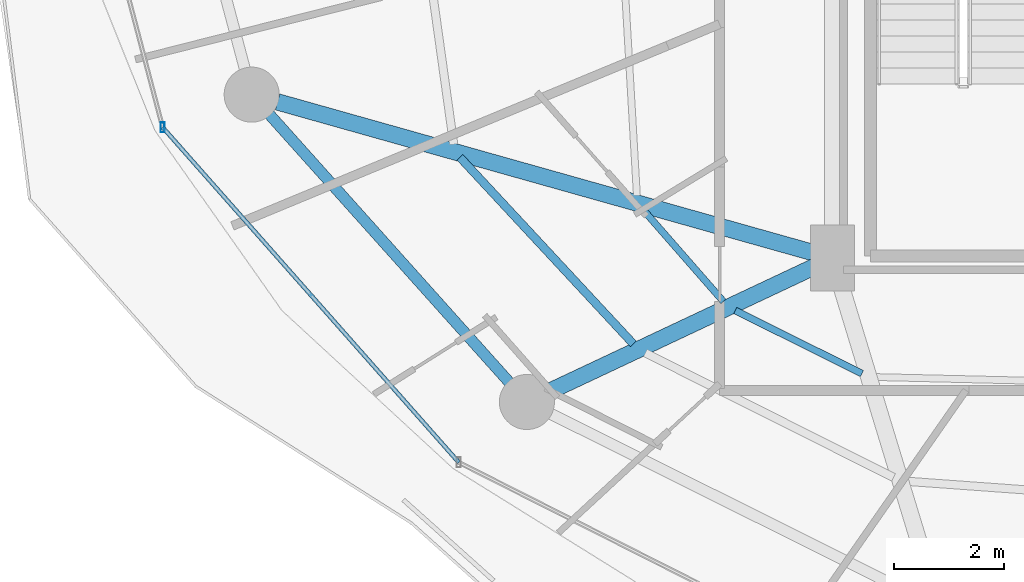
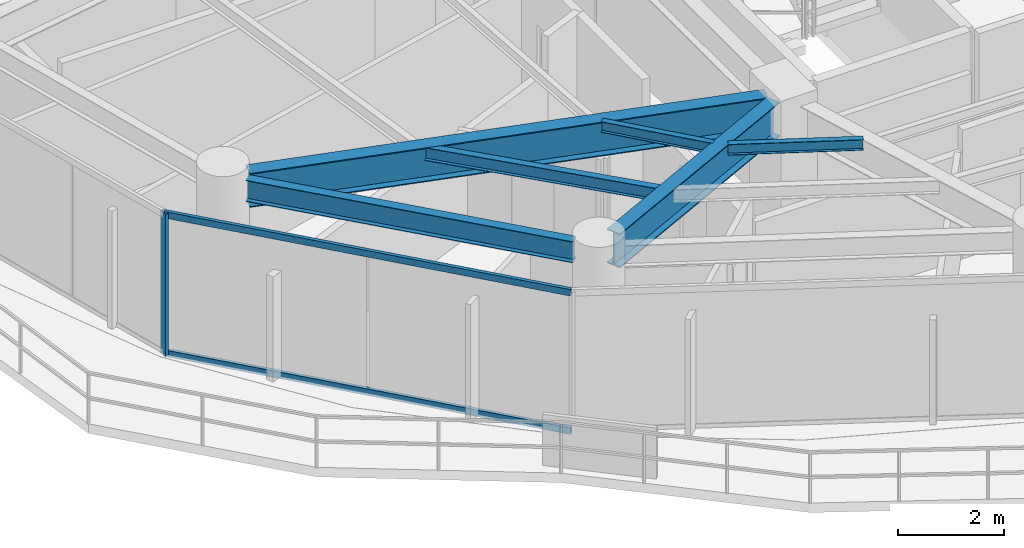
# One storey, part 3 of 28: 6 beams, 3 members, 1 element without a shape of its own.
"""IFC4 building model written with IfcOpenShell, lengths in metres."""

from ifc_helpers import new_model, si_unit, direction, frame, origin, origin_2d, place, context, subcontext, project, spatial, hollow_rectangle, i_section, extrude, material, material_profile, profile_set, type_object, element, aggregate, save


model = new_model("IFC4")

# Units and contexts
model_context = context("Model", 3, precision=1e-05, world=origin(), true_north=direction((0.0, 1.0)))
body_context = subcontext(model_context, "Body", "Model", "MODEL_VIEW")
ifc_project = project(units=[si_unit("LENGTHUNIT", "METRE"), si_unit("AREAUNIT", "SQUARE_METRE"), si_unit("VOLUMEUNIT", "CUBIC_METRE"), si_unit("PLANEANGLEUNIT", "RADIAN"), si_unit("MASSUNIT", "GRAM", prefix="KILO")], contexts=[model_context])

# Site, building, storey
site_placement = place(None, origin())
site = spatial("IfcSite", under=ifc_project, at=site_placement, CompositionType="ELEMENT")
building_placement = place(site_placement, origin())
building = spatial("IfcBuilding", under=site, at=building_placement, Name="Vorneva Point Tower", CompositionType="ELEMENT")
storey_placement = place(building_placement, frame((0.0, 0.0, 146.60009765625)))
storey = spatial("IfcBuildingStorey", under=building, at=storey_placement, Name="L39", CompositionType="ELEMENT", Elevation=146.60009765625)

# Beams
ifc_material_1 = material(Name="Steel S355", Category="steel")
ifc_material_profile_1 = material_profile(ifc_material_1, i_section(OverallWidth=0.300048828125, OverallDepth=0.7880859375, WebThickness=0.014404296875, FlangeThickness=0.02197265625, at=origin_2d()), Name="80Sh1")
ifc_profile_set_1 = profile_set([ifc_material_profile_1], Name="Steel S355")
beam_type_1 = type_object("IfcBeamType", Name="BM-GRD-80Sh1", PredefinedType="USERDEFINED", material=ifc_profile_set_1)
beam_1_placement = place(storey_placement, frame((17.17431640625, 19.28564453125, 2.845947265625), z_axis=(0.96260085362, -0.270923599213, 0.0), x_axis=(0.270923599213, 0.96260085362, 0.0)))
element("IfcBeam", 1, at=beam_1_placement, inside=storey, type_object=beam_type_1, Name="L39 Radial Primary Girder 10", ObjectType="GIRDER", PredefinedType="USERDEFINED", context=body_context, shape_type="SweptSolid", body=[
    extrude(i_section(OverallWidth=0.300048828125, OverallDepth=0.7880859375, WebThickness=0.014404296875, FlangeThickness=0.02197265625, at=origin_2d()), origin(), (0.0, 0.0, 1.0), 10.126953125),
])
beam_2_placement = place(storey_placement, frame((22.142578125, 14.045654296875, 2.845947265625), z_axis=(0.904761331435, 0.425918927896, 0.0), x_axis=(-0.425918927896, 0.904761331435, 0.0)))
element("IfcBeam", 2, at=beam_2_placement, inside=storey, type_object=beam_type_1, Name="L39 Radial Primary Girder 11", ObjectType="GIRDER", PredefinedType="USERDEFINED", context=body_context, shape_type="SweptSolid", body=[
    extrude(i_section(OverallWidth=0.300048828125, OverallDepth=0.7880859375, WebThickness=0.014404296875, FlangeThickness=0.02197265625, at=origin_2d()), origin(), (0.0, 0.0, 1.0), 5.304931640625),
])
ifc_material_profile_2 = material_profile(ifc_material_1, i_section(OverallWidth=0.1240234375, OverallDepth=0.248046875, WebThickness=0.0048828125, FlangeThickness=0.008056640625, at=origin_2d()), Name="25B1")
ifc_profile_set_2 = profile_set([ifc_material_profile_2], Name="Steel S355")
beam_type_2 = type_object("IfcBeamType", Name="BM-JST-25B1", PredefinedType="JOIST", material=ifc_profile_set_2)
beam_3_placement = place(storey_placement, frame((23.796630859375, 17.343505859375, 3.115966796875), z_axis=(0.658705826659, -0.752400580758, 0.0), x_axis=(0.752400580758, 0.658705826659, 0.0)))
element("IfcBeam", 3, at=beam_3_placement, inside=storey, type_object=beam_type_2, Name="L39 Secondary Floor Beam 2.10", PredefinedType="JOIST", context=body_context, shape_type="SweptSolid", body=[
    extrude(i_section(OverallWidth=0.1240234375, OverallDepth=0.248046875, WebThickness=0.0048828125, FlangeThickness=0.008056640625, at=origin_2d()), origin(), (0.0, 0.0, 1.0), 2.233154296875),
])
beam_4_placement = place(storey_placement, frame((25.482177734375, 15.498291015625, 3.115966796875), z_axis=(0.895489131745, -0.445083379746, 0.0), x_axis=(0.445083379746, 0.895489131745, 0.0)))
element("IfcBeam", 4, at=beam_4_placement, inside=storey, type_object=beam_type_2, Name="L39 Secondary Floor Beam 2.11", PredefinedType="JOIST", context=body_context, shape_type="SweptSolid", body=[
    extrude(i_section(OverallWidth=0.1240234375, OverallDepth=0.248046875, WebThickness=0.0048828125, FlangeThickness=0.008056640625, at=origin_2d()), origin(), (0.0, 0.0, 1.0), 2.56884765625),
])
ifc_material_profile_3 = material_profile(ifc_material_1, i_section(OverallWidth=0.14892578125, OverallDepth=0.298095703125, WebThickness=0.005615234375, FlangeThickness=0.008056640625, at=origin_2d()), Name="30B1")
ifc_profile_set_3 = profile_set([ifc_material_profile_3], Name="Steel S355")
beam_type_3 = type_object("IfcBeamType", Name="BM-JST-30B1", PredefinedType="JOIST", material=ifc_profile_set_3)
beam_5_placement = place(storey_placement, frame((20.4853515625, 18.279296875, 3.0908203125), z_axis=(0.680732567177, -0.732532027959, 0.0), x_axis=(0.732532027959, 0.680732567177, 0.0)))
element("IfcBeam", 5, at=beam_5_placement, inside=storey, type_object=beam_type_3, Name="L39 Secondary Floor Beam 1.10", PredefinedType="JOIST", context=body_context, shape_type="SweptSolid", body=[
    extrude(i_section(OverallWidth=0.14892578125, OverallDepth=0.298095703125, WebThickness=0.005615234375, FlangeThickness=0.008056640625, at=origin_2d()), origin(), (0.0, 0.0, 1.0), 4.62353515625),
])
ifc_material_profile_4 = material_profile(ifc_material_1, i_section(OverallWidth=0.199951171875, OverallDepth=0.491943359375, WebThickness=0.0087890625, FlangeThickness=0.011962890625, at=origin_2d()), Name="50B1")
ifc_profile_set_4 = profile_set([ifc_material_profile_4], Name="Steel S355")
beam_type_4 = type_object("IfcBeamType", Name="BM-SPN-50B1", PredefinedType="SPANDREL", material=ifc_profile_set_4)
beam_6_placement = place(storey_placement, frame((17.028076171875, 19.056396484375, 2.993896484375), z_axis=(0.667111118975, -0.74495822362, 0.0), x_axis=(0.74495822362, 0.667111118975, 0.0)))
element("IfcBeam", 6, at=beam_6_placement, inside=storey, type_object=beam_type_4, Name="L39 Perimeter Spandrel Ring Beam 10", PredefinedType="SPANDREL", context=body_context, shape_type="SweptSolid", body=[
    extrude(i_section(OverallWidth=0.199951171875, OverallDepth=0.491943359375, WebThickness=0.0087890625, FlangeThickness=0.011962890625, at=origin_2d()), origin(), (0.0, 0.0, 1.0), 6.52001953125),
])

# Curtain wall, members
ifc_material_2 = material(Name="Pale anodised aluminium", Category="aluminium")
curtain_wall_type = type_object("IfcCurtainWallType", Name="CW-RES-SYS", PredefinedType="NOTDEFINED", material=ifc_material_2)
curtain_wall_placement = place(storey_placement, origin())
curtain_wall = element("IfcCurtainWall", 7, at=curtain_wall_placement, inside=storey, type_object=curtain_wall_type, Name="L39 Unitised Curtain Wall CW-L39-R02", PredefinedType="NOTDEFINED")
ifc_material_profile_5 = material_profile(ifc_material_2, hollow_rectangle(XDim=0.074951171875, YDim=0.179931640625, WallThickness=0.00390625, at=origin_2d()), Name="AL-MUL 180x75x4")
ifc_profile_set_5 = profile_set([ifc_material_profile_5], Name="Pale anodised aluminium")
member_type_1 = type_object("IfcMemberType", Name="CW-MUL-180", PredefinedType="MULLION", material=ifc_profile_set_5)
member_1_placement = place(storey_placement, frame((15.087890625, 18.82470703125, -0.0400390625), z_axis=(0.0, 0.0, 1.0), x_axis=(1.0, 0.0, 0.0)))
member_1 = element("IfcMember", 8, at=member_1_placement, type_object=member_type_1, Name="CW-L39-R02 Mullion 04", PredefinedType="MULLION", context=body_context, shape_type="SweptSolid", body=[
    extrude(hollow_rectangle(XDim=0.074951171875, YDim=0.179931640625, WallThickness=0.00390625, at=origin_2d()), origin(), (0.0, 0.0, 1.0), 3.31005859375),
])
ifc_material_profile_6 = material_profile(ifc_material_2, hollow_rectangle(XDim=0.074951171875, YDim=0.14990234375, WallThickness=0.00390625, at=origin_2d()), Name="AL-TRN 150x75x4")
ifc_profile_set_6 = profile_set([ifc_material_profile_6], Name="Pale anodised aluminium")
member_type_2 = type_object("IfcMemberType", Name="CW-TRN-150", PredefinedType="USERDEFINED", material=ifc_profile_set_6)
member_2_placement = place(storey_placement, frame((15.087890625, 18.82470703125, 0.02001953125), z_axis=(0.662218216609, -0.749311039283, 0.0), x_axis=(0.749311039283, 0.662218216609, 0.0)))
member_2 = element("IfcMember", 9, at=member_2_placement, type_object=member_type_2, Name="CW-L39-R02 Transom 04.1", ObjectType="TRANSOM", PredefinedType="USERDEFINED", context=body_context, shape_type="SweptSolid", body=[
    extrude(hollow_rectangle(XDim=0.074951171875, YDim=0.14990234375, WallThickness=0.00390625, at=origin_2d()), origin(), (0.0, 0.0, 1.0), 8.1181640625),
])
member_3_placement = place(storey_placement, frame((15.087890625, 18.82470703125, 3.219970703125), z_axis=(0.662218216609, -0.749311039283, 0.0), x_axis=(0.749311039283, 0.662218216609, 0.0)))
member_3 = element("IfcMember", 10, at=member_3_placement, type_object=member_type_2, Name="CW-L39-R02 Transom 04.2", ObjectType="TRANSOM", PredefinedType="USERDEFINED", context=body_context, shape_type="SweptSolid", body=[
    extrude(hollow_rectangle(XDim=0.074951171875, YDim=0.14990234375, WallThickness=0.00390625, at=origin_2d()), origin(), (0.0, 0.0, 1.0), 8.1181640625),
])
aggregate(curtain_wall, [member_1, member_2, member_3])

save(model, "model.ifc")
